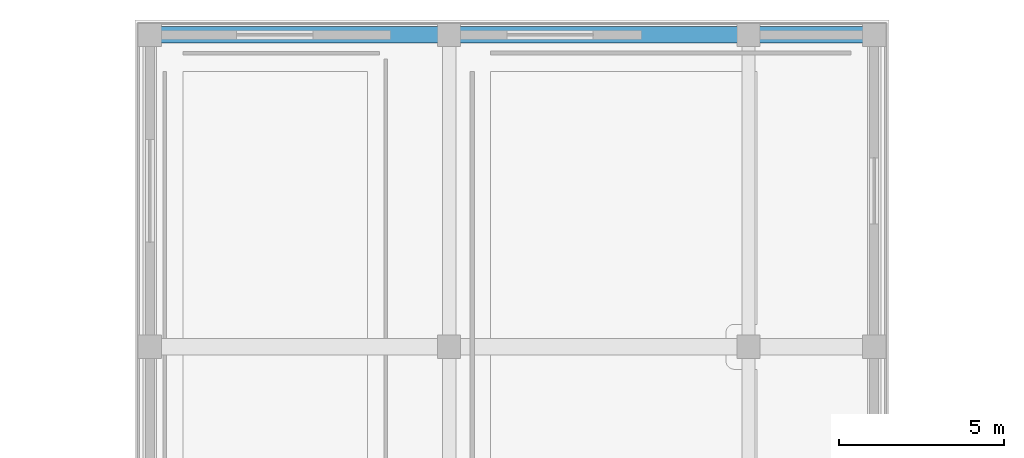
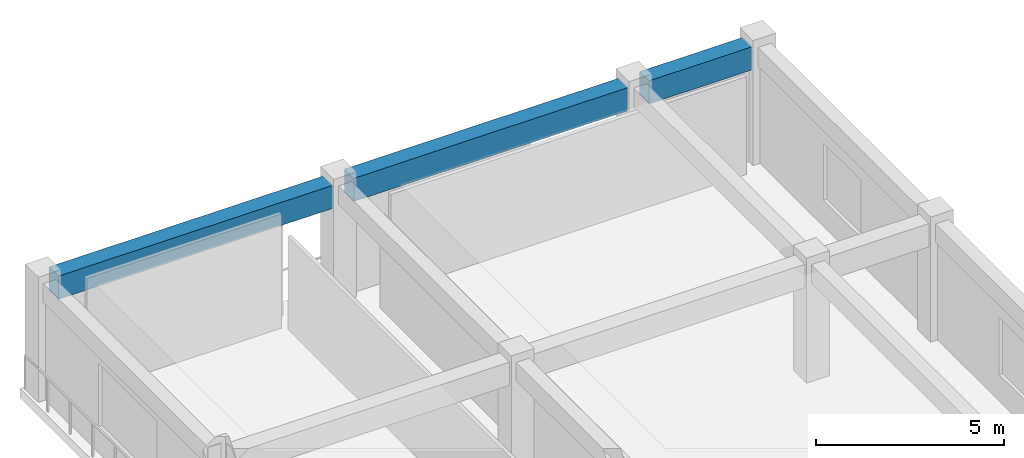
# One storey, part 42 of 83: 3 beams.
"""IFC4 building model written with IfcOpenShell, lengths in metres."""

from ifc_helpers import new_model, si_unit, direction, frame, origin, origin_2d, place, context, subcontext, project, spatial, rectangle, extrude, material, material_profile, profile_set, type_object, element, save


model = new_model("IFC4")

# Units and contexts
model_context = context("Model", 3, precision=1e-05, world=origin(), true_north=direction((0.0, 1.0)))
body_context = subcontext(model_context, "Body", "Model", "MODEL_VIEW")
ifc_project = project(units=[si_unit("LENGTHUNIT", "METRE"), si_unit("AREAUNIT", "SQUARE_METRE"), si_unit("VOLUMEUNIT", "CUBIC_METRE"), si_unit("PLANEANGLEUNIT", "RADIAN"), si_unit("MASSUNIT", "GRAM", prefix="KILO")], contexts=[model_context])

# Site, building, storey
site_placement = place(None, origin())
site = spatial("IfcSite", under=ifc_project, at=site_placement, CompositionType="ELEMENT")
building_placement = place(site_placement, origin())
building = spatial("IfcBuilding", under=site, at=building_placement, Name="Saryqyr Civic Hall", CompositionType="ELEMENT")
storey_placement = place(building_placement, frame((0.0, 0.0, 9.14990234375)))
storey = spatial("IfcBuildingStorey", under=building, at=storey_placement, Name="L02", CompositionType="ELEMENT", Elevation=9.14990234375)

# Beams
ifc_material = material(Name="Concrete C40/50", Category="concrete")
ifc_material_profile = material_profile(ifc_material, rectangle(XDim=0.5, YDim=0.75, at=origin_2d()), Name="RC 500x750")
ifc_profile_set = profile_set([ifc_material_profile], Name="Concrete C40/50")
beam_type = type_object("IfcBeamType", Name="STR-BM-RC500x750", PredefinedType="BEAM", material=ifc_profile_set)
for number, where, z_axis, x_axis, name in (
    (1, (8.375, 165.14990234375, 3.4150390625), (1.0, 0.0, 0.0), (0.0, 1.0, 0.0), "Beam V3-BM-EW-8-1-L02"),
    (2, (17.425048828125, 165.14990234375, 3.4150390625), (1.0, 0.0, 0.0), (0.0, 1.0, 0.0), "Beam V3-BM-EW-8-2-L02"),
):
    element("IfcBeam", number, at=place(storey_placement, frame(where, z_axis=z_axis, x_axis=x_axis)), inside=storey, type_object=beam_type, Name=name, PredefinedType="BEAM", context=body_context, shape_type="SweptSolid", body=[
        extrude(rectangle(XDim=0.5, YDim=0.75, at=origin_2d()), origin(), (0.0, 0.0, 1.0), 8.39990234375),
    ])
beam_placement = place(storey_placement, frame((26.47509765625, 165.14990234375, 3.405029296875), z_axis=(1.0, 0.0, 0.0), x_axis=(0.0, 1.0, 0.0)))
element("IfcBeam", 3, at=beam_placement, inside=storey, type_object=beam_type, Name="Beam V3-BM-EW-8-3-L02", PredefinedType="BEAM", context=body_context, shape_type="SweptSolid", body=[
    extrude(rectangle(XDim=0.5, YDim=0.75, at=origin_2d()), origin(), (0.0, 0.0, 1.0), 3.14990234375),
])

save(model, "model.ifc")
